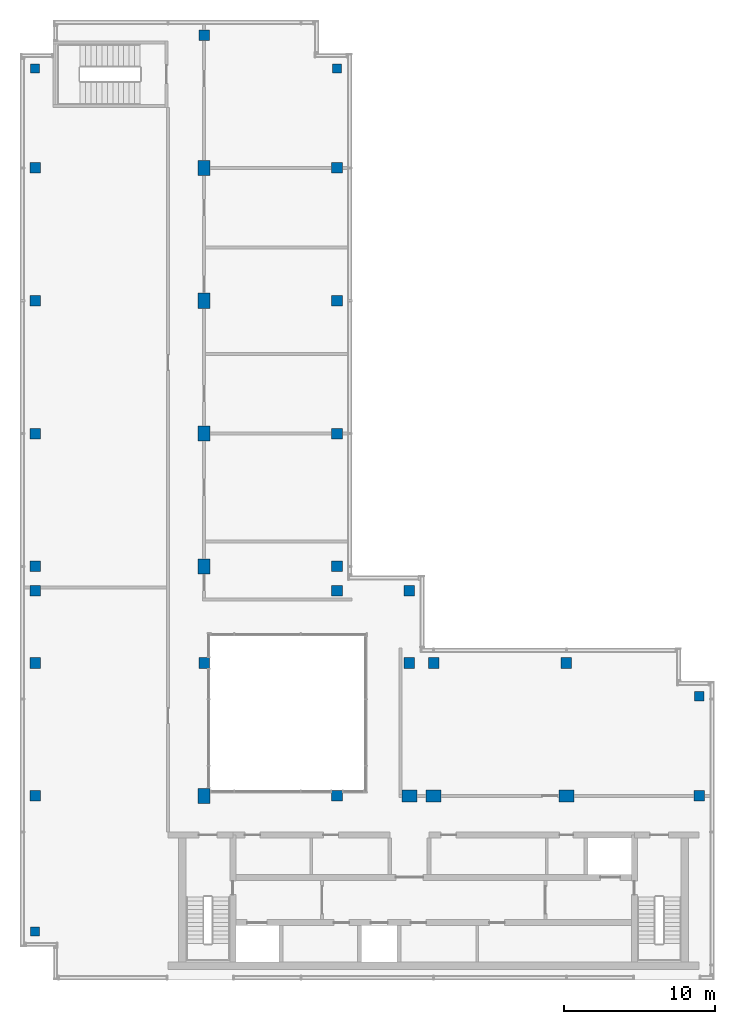
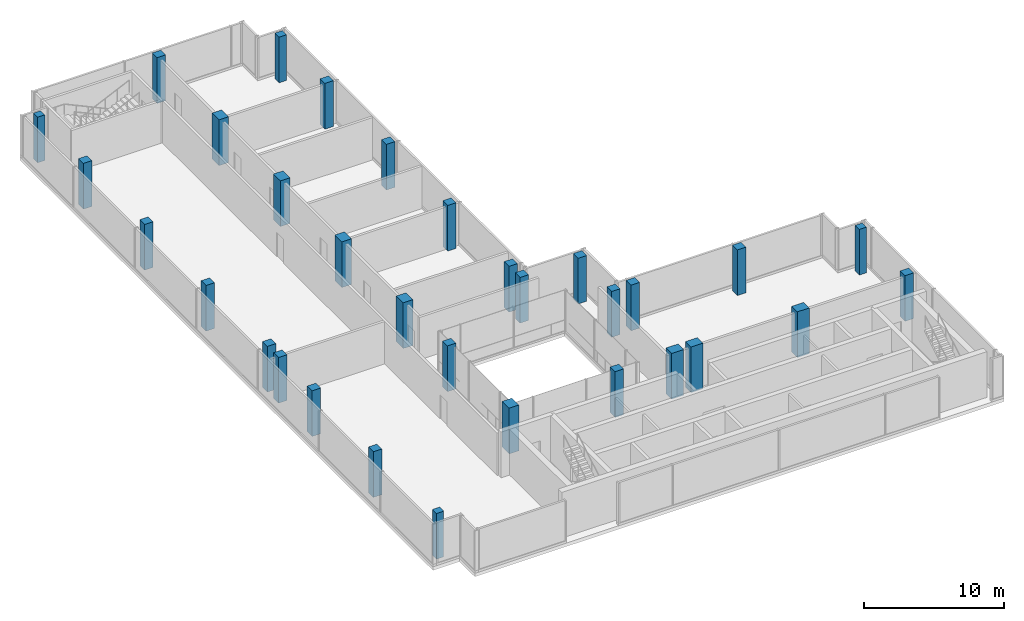
# One storey, part 1 of 10: 32 columns.
"""IFC4 building model written with IfcOpenShell, lengths in metres."""

from ifc_helpers import new_model, si_unit, direction, frame, origin, origin_2d, place, context, subcontext, project, spatial, rectangle, extrude, material, material_profile, profile_set, type_object, element, save


model = new_model("IFC4")

# Units and contexts
model_context = context("Model", 3, precision=1e-05, world=origin(), true_north=direction((0.0, 1.0)))
body_context = subcontext(model_context, "Body", "Model", "MODEL_VIEW")
ifc_project = project(units=[si_unit("LENGTHUNIT", "METRE"), si_unit("AREAUNIT", "SQUARE_METRE"), si_unit("VOLUMEUNIT", "CUBIC_METRE"), si_unit("PLANEANGLEUNIT", "RADIAN"), si_unit("MASSUNIT", "GRAM", prefix="KILO")], contexts=[model_context])

# Site, building, storey
site_placement = place(None, origin())
site = spatial("IfcSite", under=ifc_project, at=site_placement, CompositionType="ELEMENT")
building_placement = place(site_placement, origin())
building = spatial("IfcBuilding", under=site, at=building_placement, Name="Kemantara Hotel Tower", CompositionType="ELEMENT")
storey_placement = place(building_placement, frame((0.0, 0.0, 314.199951171875)))
storey = spatial("IfcBuildingStorey", under=building, at=storey_placement, Name="L79", CompositionType="ELEMENT", Elevation=314.199951171875)

# Columns
ifc_material = material(Name="Concrete fc 50 MPa", Category="concrete")
ifc_material_profile_1 = material_profile(ifc_material, rectangle(XDim=1.0, YDim=0.800048828125, at=origin_2d()), Name="RC 1000X800")
ifc_profile_set_1 = profile_set([ifc_material_profile_1], Name="Concrete fc 50 MPa")
column_type_1 = type_object("IfcColumnType", Name="RC COLUMN 1000X800 FC50", PredefinedType="COLUMN", material=ifc_profile_set_1)
for number, where, z_axis, x_axis, name in (
    (1, (12.199951171875, 12.199951171875, 0.0), (0.0, 0.0, 1.0), (0.0, 1.0, 0.0), "COLUMN 2A/BA L79"),
    (2, (12.199951171875, 27.39990234375, 0.0), (0.0, 0.0, 1.0), (0.0, 1.0, 0.0), "COLUMN 2A/D L79"),
    (3, (12.199951171875, 36.199951171875, 0.0), (0.0, 0.0, 1.0), (0.0, 1.0, 0.0), "COLUMN 2A/E L79"),
    (4, (12.199951171875, 45.0, 0.0), (0.0, 0.0, 1.0), (0.0, 1.0, 0.0), "COLUMN 2A/F L79"),
    (5, (12.199951171875, 53.800048828125, 0.0), (0.0, 0.0, 1.0), (0.0, 1.0, 0.0), "COLUMN 2A/G L79"),
    (6, (25.800048828125, 12.199951171875, 0.0), (0.0, 0.0, 1.0), (1.0, 0.0, 0.0), "COLUMN 3A/BA L79"),
    (7, (27.39990234375, 12.199951171875, 0.0), (0.0, 0.0, 1.0), (1.0, 0.0, 0.0), "COLUMN 4/BA L79"),
    (8, (36.199951171875, 12.199951171875, 0.0), (0.0, 0.0, 1.0), (1.0, 0.0, 0.0), "COLUMN 5/BA L79"),
):
    element("IfcColumn", number, at=place(storey_placement, frame(where, z_axis=z_axis, x_axis=x_axis)), inside=storey, type_object=column_type_1, Name=name, PredefinedType="COLUMN", context=body_context, shape_type="SweptSolid", body=[
        extrude(rectangle(XDim=1.0, YDim=0.800048828125, at=origin_2d()), origin(), (0.0, 0.0, 1.0), 4.0),
    ])
ifc_material_profile_2 = material_profile(ifc_material, rectangle(XDim=0.60009765625, YDim=0.60009765625, at=origin_2d()), Name="RC 600X600")
ifc_profile_set_2 = profile_set([ifc_material_profile_2], Name="Concrete fc 50 MPa")
column_type_2 = type_object("IfcColumnType", Name="RC COLUMN 600X600 FC50", PredefinedType="COLUMN", material=ifc_profile_set_2)
for number, where, z_axis, x_axis, name in (
    (9, (1.0, 3.199951171875, 0.0), (0.0, 0.0, 1.0), (1.0, 0.0, 0.0), "COLUMN notch corner L79"),
    (10, (1.0, 60.39990234375, 0.0), (0.0, 0.0, 1.0), (1.0, 0.0, 0.0), "COLUMN notch corner L79"),
    (11, (21.0, 60.39990234375, 0.0), (0.0, 0.0, 1.0), (1.0, 0.0, 0.0), "COLUMN notch corner L79"),
    (12, (45.0, 18.800048828125, 0.0), (0.0, 0.0, 1.0), (1.0, 0.0, 0.0), "COLUMN notch corner L79"),
):
    element("IfcColumn", number, at=place(storey_placement, frame(where, z_axis=z_axis, x_axis=x_axis)), inside=storey, type_object=column_type_2, Name=name, PredefinedType="COLUMN", context=body_context, shape_type="SweptSolid", body=[
        extrude(rectangle(XDim=0.60009765625, YDim=0.60009765625, at=origin_2d()), origin(), (0.0, 0.0, 1.0), 4.0),
    ])
ifc_material_profile_3 = material_profile(ifc_material, rectangle(XDim=0.699951171875, YDim=0.699951171875, at=origin_2d()), Name="RC 700X700")
ifc_profile_set_3 = profile_set([ifc_material_profile_3], Name="Concrete fc 50 MPa")
column_type_3 = type_object("IfcColumnType", Name="RC COLUMN 700X700 FC50", PredefinedType="COLUMN", material=ifc_profile_set_3)
for number, where, z_axis, x_axis, name in (
    (13, (1.0, 12.199951171875, 0.0), (0.0, 0.0, 1.0), (1.0, 0.0, 0.0), "COLUMN 1/BA L79"),
    (14, (1.0, 21.0, 0.0), (0.0, 0.0, 1.0), (1.0, 0.0, 0.0), "COLUMN 1/C L79"),
    (15, (1.0, 25.800048828125, 0.0), (0.0, 0.0, 1.0), (1.0, 0.0, 0.0), "COLUMN 1/CA L79"),
    (16, (1.0, 27.39990234375, 0.0), (0.0, 0.0, 1.0), (1.0, 0.0, 0.0), "COLUMN 1/D L79"),
    (17, (1.0, 36.199951171875, 0.0), (0.0, 0.0, 1.0), (1.0, 0.0, 0.0), "COLUMN 1/E L79"),
    (18, (1.0, 45.0, 0.0), (0.0, 0.0, 1.0), (1.0, 0.0, 0.0), "COLUMN 1/F L79"),
    (19, (1.0, 53.800048828125, 0.0), (0.0, 0.0, 1.0), (1.0, 0.0, 0.0), "COLUMN 1/G L79"),
    (20, (12.199951171875, 21.0, 0.0), (0.0, 0.0, 1.0), (1.0, 0.0, 0.0), "COLUMN 2A/C L79"),
    (21, (12.199951171875, 62.60009765625, 0.0), (0.0, 0.0, 1.0), (1.0, 0.0, 0.0), "COLUMN 2A/H L79"),
    (22, (21.0, 12.199951171875, 0.0), (0.0, 0.0, 1.0), (1.0, 0.0, 0.0), "COLUMN 3/BA L79"),
    (23, (21.0, 25.800048828125, 0.0), (0.0, 0.0, 1.0), (1.0, 0.0, 0.0), "COLUMN 3/CA L79"),
    (24, (21.0, 27.39990234375, 0.0), (0.0, 0.0, 1.0), (1.0, 0.0, 0.0), "COLUMN 3/D L79"),
    (25, (21.0, 36.199951171875, 0.0), (0.0, 0.0, 1.0), (1.0, 0.0, 0.0), "COLUMN 3/E L79"),
    (26, (21.0, 45.0, 0.0), (0.0, 0.0, 1.0), (1.0, 0.0, 0.0), "COLUMN 3/F L79"),
    (27, (21.0, 53.800048828125, 0.0), (0.0, 0.0, 1.0), (1.0, 0.0, 0.0), "COLUMN 3/G L79"),
    (28, (25.800048828125, 21.0, 0.0), (0.0, 0.0, 1.0), (1.0, 0.0, 0.0), "COLUMN 3A/C L79"),
    (29, (25.800048828125, 25.800048828125, 0.0), (0.0, 0.0, 1.0), (1.0, 0.0, 0.0), "COLUMN 3A/CA L79"),
    (30, (27.39990234375, 21.0, 0.0), (0.0, 0.0, 1.0), (1.0, 0.0, 0.0), "COLUMN 4/C L79"),
    (31, (36.199951171875, 21.0, 0.0), (0.0, 0.0, 1.0), (1.0, 0.0, 0.0), "COLUMN 5/C L79"),
    (32, (45.0, 12.199951171875, 0.0), (0.0, 0.0, 1.0), (1.0, 0.0, 0.0), "COLUMN 6/BA L79"),
):
    element("IfcColumn", number, at=place(storey_placement, frame(where, z_axis=z_axis, x_axis=x_axis)), inside=storey, type_object=column_type_3, Name=name, PredefinedType="COLUMN", context=body_context, shape_type="SweptSolid", body=[
        extrude(rectangle(XDim=0.699951171875, YDim=0.699951171875, at=origin_2d()), origin(), (0.0, 0.0, 1.0), 4.0),
    ])

save(model, "model.ifc")
